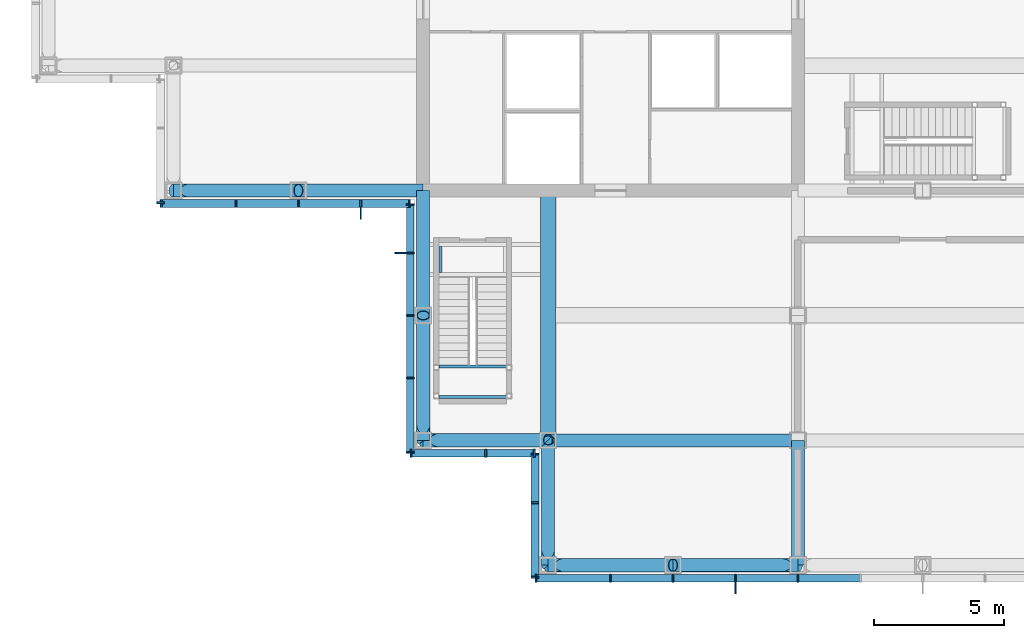
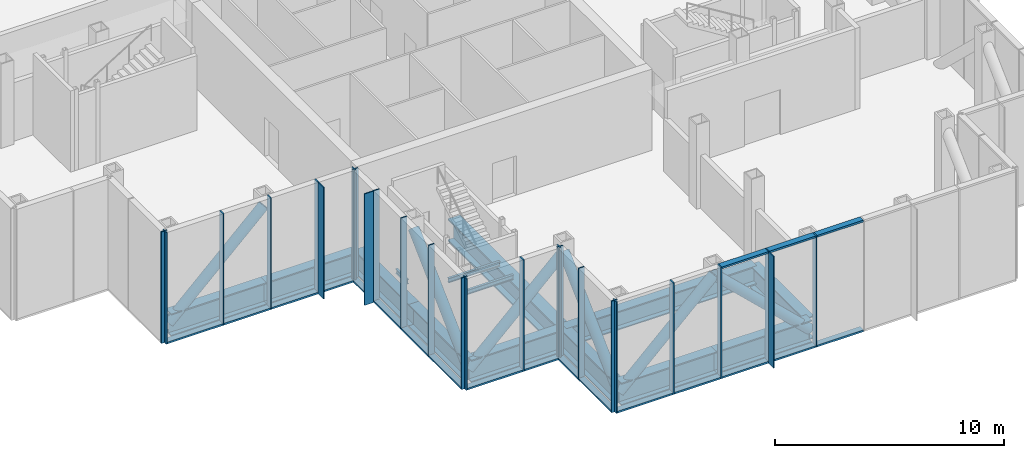
# One storey, part 6 of 17: 51 members, 14 beams, 6 elements without a shape of their own.
"""IFC4 building model written with IfcOpenShell, lengths in metres."""

import ifcopenshell
import ifcopenshell.guid

model = None  # the IFC model being written
_history = None  # IfcOwnerHistory: only IFC2X3 demands one
_inside = {}  # id of a spatial element -> (the spatial element, [elements in it])
_under = {}  # id of a project, library or spatial element -> (it, [spatial elements below it])
_declared = {}  # id of a project -> (the project, [libraries it declares])
_typed = {}  # id of a type object -> (the type object, [elements of that type])
_made_of = {}  # id of a material, layer set ... -> (it, [elements and type objects made of it])


def new_model(schema):
    """Start an empty IFC model of exactly this schema.

    Asked for "IFC4X3", IfcOpenShell would pick the latest addendum, in which some entities
    have other attributes; the version numbers below select the first issue.
    IFC2X3 requires an IfcOwnerHistory on every rooted entity: one is made here for all.
    """
    global model, _history
    if schema == "IFC4X3":
        model = ifcopenshell.file(schema_version=(4, 3, 0, 0))
    else:
        model = ifcopenshell.file(schema=schema)
    _inside.clear()
    _under.clear()
    _declared.clear()
    _typed.clear()
    _made_of.clear()
    _history = None
    if model.schema == "IFC2X3":
        org = make("IfcOrganization", Name="unknown")
        user = make(
            "IfcPersonAndOrganization",
            ThePerson=make("IfcPerson", FamilyName="unknown"),
            TheOrganization=org,
        )
        app = make(
            "IfcApplication",
            ApplicationDeveloper=org,
            Version="unknown",
            ApplicationFullName="unknown",
            ApplicationIdentifier="unknown",
        )
        _history = make(
            "IfcOwnerHistory",
            OwningUser=user,
            OwningApplication=app,
            ChangeAction="ADDED",
            CreationDate=0,
        )
    return model


def make(cls, **values):
    """One entity of the class cls with the attributes given. An attribute that is None is left unset."""
    return model.create_entity(
        cls, **{name: value for name, value in values.items() if value is not None}
    )


def rooted(cls, **values):
    """An entity with a GlobalId (a new one), such as an element, a storey or a relation."""
    return make(cls, GlobalId=ifcopenshell.guid.new(), OwnerHistory=_history, **values)


def si_unit(unit_type, name, prefix=None):
    """IfcSIUnit, for example si_unit("LENGTHUNIT", "METRE", prefix="MILLI")."""
    return make("IfcSIUnit", UnitType=unit_type, Prefix=prefix, Name=name)


def assignment(units):
    """IfcUnitAssignment: the units of a project."""
    return None if units is None else make("IfcUnitAssignment", Units=units)


def point(xyz):
    """IfcCartesianPoint."""
    return None if xyz is None else make("IfcCartesianPoint", Coordinates=xyz)


def direction(xyz):
    """IfcDirection."""
    return None if xyz is None else make("IfcDirection", DirectionRatios=xyz)


def frame(location, z_axis=None, x_axis=None):
    """IfcAxis2Placement3D, a coordinate frame: its origin and axes. An axis left out is left unset."""
    return make(
        "IfcAxis2Placement3D",
        Location=point(location),
        Axis=direction(z_axis),
        RefDirection=direction(x_axis),
    )


def frame_2d(location, x_axis=None):
    """IfcAxis2Placement2D, a coordinate frame in the plane: its origin and x axis."""
    return make(
        "IfcAxis2Placement2D", Location=point(location), RefDirection=direction(x_axis)
    )


def origin():
    """The frame at (0, 0, 0) with its axes left unset."""
    return frame((0.0, 0.0, 0.0))


def origin_2d():
    """The frame at (0, 0) in the plane with its x axis left unset."""
    return frame_2d((0.0, 0.0))


def place(relative_to, where):
    """IfcLocalPlacement: puts the frame where relative to a parent placement (None: the world)."""
    return make(
        "IfcLocalPlacement", PlacementRelTo=relative_to, RelativePlacement=where
    )


def context(
    kind, dimensions, precision=None, world=None, true_north=None, identifier=None
):
    """IfcGeometricRepresentationContext, for example the 3D "Model" context."""
    return make(
        "IfcGeometricRepresentationContext",
        ContextIdentifier=identifier,
        ContextType=kind,
        CoordinateSpaceDimension=dimensions,
        Precision=precision,
        WorldCoordinateSystem=world,
        TrueNorth=true_north,
    )


def subcontext(parent, identifier, kind, view, scale=None):
    """IfcGeometricRepresentationSubContext, for example "Body" below "Model"."""
    return make(
        "IfcGeometricRepresentationSubContext",
        ContextIdentifier=identifier,
        ContextType=kind,
        ParentContext=parent,
        TargetScale=scale,
        TargetView=view,
    )


def project(units=None, contexts=None):
    """IfcProject with its units and contexts."""
    return rooted(
        "IfcProject",
        Name="project",
        RepresentationContexts=contexts,
        UnitsInContext=assignment(units),
    )


def spatial(cls, under=None, at=None, **own):
    """A site, building, storey or space (cls), placed at a placement, below another one or the project."""
    s = rooted(cls, ObjectPlacement=at, **own)
    if under is not None:
        _under.setdefault(under.id(), (under, []))[1].append(s)
    return s


def profile(cls, at=None, kind="AREA", **sizes):
    """A parametric profile (cls). Its sizes go by their IFC names, for example OverallWidth=200.0."""
    return make(cls, ProfileType=kind, Position=at, **sizes)


def rectangle(**sizes):
    """IfcRectangleProfileDef."""
    return profile("IfcRectangleProfileDef", **sizes)


def hollow_circle(**sizes):
    """IfcCircleHollowProfileDef."""
    return profile("IfcCircleHollowProfileDef", **sizes)


def i_section(**sizes):
    """IfcIShapeProfileDef."""
    return profile("IfcIShapeProfileDef", **sizes)


def extrude(swept, where, along, depth):
    """IfcExtrudedAreaSolid: the profile swept, set in the frame where, extruded along a direction by depth."""
    return make(
        "IfcExtrudedAreaSolid",
        SweptArea=swept,
        Position=where,
        ExtrudedDirection=direction(along),
        Depth=depth,
    )


def shape(context_of_items, identifier, shape_type, items):
    """IfcShapeRepresentation: the items that make up one representation, for example the "Body"."""
    return make(
        "IfcShapeRepresentation",
        ContextOfItems=context_of_items,
        RepresentationIdentifier=identifier,
        RepresentationType=shape_type,
        Items=items,
    )


def material(Name=None, Category=None):
    """IfcMaterial."""
    return make("IfcMaterial", Name=Name, Category=Category)


def material_profile(
    of_material, cross_section, Name=None, Category=None, Priority=None
):
    """IfcMaterialProfile: a cross section and its material."""
    return make(
        "IfcMaterialProfile",
        Name=Name,
        Material=of_material,
        Profile=cross_section,
        Priority=Priority,
        Category=Category,
    )


def profile_set(profiles, Name=None, composite=None):
    """IfcMaterialProfileSet."""
    return make(
        "IfcMaterialProfileSet",
        Name=Name,
        MaterialProfiles=profiles,
        CompositeProfile=composite,
    )


def made_of(thing, what):
    """Note that an element or type object is made of a material, layer set ...; save() writes the relation."""
    if what is not None:
        _made_of.setdefault(what.id(), (what, []))[1].append(thing)
    return thing


def type_object(cls, material=None, **own):
    """A type object (cls), such as IfcWallType, which elements share."""
    return made_of(rooted(cls, **own), material)


def element(
    cls,
    number,
    at=None,
    inside=None,
    cuts=None,
    type_object=None,
    material=None,
    context=None,
    identifier="Body",
    shape_type=None,
    held_by="IfcProductDefinitionShape",
    body=None,
    shapes=None,
    **own,
):
    """One element of the class cls, such as IfcWall. Its Tag is "e" and its number.

    at: its placement. inside: the storey or other place that contains it. cuts: it is an
    opening in that element (IfcRelVoidsElement). A single representation is given by context,
    identifier, shape_type and body (its items); several are given by shapes. held_by: the class
    of the entity that holds the representations. save() writes the other relations.
    """
    e = rooted(cls, Tag="e%d" % number, ObjectPlacement=at, **own)
    if body is not None:
        shapes = [shape(context, identifier, shape_type, body)]
    if shapes is not None:
        e.Representation = make(held_by, Representations=shapes)
    if inside is not None:
        _inside.setdefault(inside.id(), (inside, []))[1].append(e)
    if cuts is not None:
        rooted(
            "IfcRelVoidsElement", RelatingBuildingElement=cuts, RelatedOpeningElement=e
        )
    if type_object is not None:
        _typed.setdefault(type_object.id(), (type_object, []))[1].append(e)
    return made_of(e, material)


def aggregate(whole, parts):
    """IfcRelAggregates: a whole, such as a stair, and the parts it consists of."""
    return rooted("IfcRelAggregates", RelatingObject=whole, RelatedObjects=parts)


def save(model, path):
    """Write the relations noted so far, then the file.

    IfcRelAggregates (storeys below a building ...), IfcRelContainedInSpatialStructure (elements
    in a storey), IfcRelDefinesByType, IfcRelAssociatesMaterial and IfcRelDeclares: one each for
    every whole, place, type object, material and project.
    """
    for whole, parts in _under.values():
        aggregate(whole, parts)
    for where, things in _inside.values():
        rooted(
            "IfcRelContainedInSpatialStructure",
            RelatedElements=things,
            RelatingStructure=where,
        )
    for kind, things in _typed.values():
        rooted("IfcRelDefinesByType", RelatedObjects=things, RelatingType=kind)
    for what, things in _made_of.values():
        rooted("IfcRelAssociatesMaterial", RelatedObjects=things, RelatingMaterial=what)
    for by, libraries in _declared.values():
        rooted("IfcRelDeclares", RelatingContext=by, RelatedDefinitions=libraries)
    model.write(path)


model = new_model("IFC4")

# Units and contexts
model_context = context("Model", 3, precision=1e-05, world=origin(), true_north=direction((0.0, 1.0)))
body_context = subcontext(model_context, "Body", "Model", "MODEL_VIEW")
ifc_project = project(units=[si_unit("LENGTHUNIT", "METRE"), si_unit("AREAUNIT", "SQUARE_METRE"), si_unit("VOLUMEUNIT", "CUBIC_METRE"), si_unit("PLANEANGLEUNIT", "RADIAN"), si_unit("MASSUNIT", "GRAM", prefix="KILO")], contexts=[model_context])

# Site, building, storey
site_placement = place(None, origin())
site = spatial("IfcSite", under=ifc_project, at=site_placement, CompositionType="ELEMENT")
building_placement = place(site_placement, origin())
building = spatial("IfcBuilding", under=site, at=building_placement, Name="Kvirike Care Tower", CompositionType="ELEMENT")
storey_placement = place(building_placement, frame((0.0, 0.0, 136.5)))
storey = spatial("IfcBuildingStorey", under=building, at=storey_placement, Name="L37", CompositionType="ELEMENT", Elevation=136.5)

# Members
ifc_material_1 = material(Name="Steel S355", Category="steel")
ifc_material_profile_1 = material_profile(ifc_material_1, hollow_circle(Radius=0.25390625, WallThickness=0.02490234375, at=origin_2d()), Name="CHS 508x25")
ifc_profile_set_1 = profile_set([ifc_material_profile_1], Name="Steel S355")
member_type_1 = type_object("IfcMemberType", Name="BELT TRUSS DIAGONAL CHS 508x25", PredefinedType="BRACE", material=ifc_profile_set_1)
for number, where, z_axis, x_axis, name in (
    (1, (4.800048828125, 28.800048828125, -0.85009765625), (0.723490032929, 0.0, 0.690334826191), (0.0, 1.0, 0.0), "Belt truss diagonal G4-G5 L37"),
    (2, (14.39990234375, 19.199951171875, -0.85009765625), (0.0, 0.723490032929, 0.690334826191), (-1.0, 0.0, 0.0), "Belt truss diagonal F6-E6 L37"),
    (3, (14.39990234375, 19.199951171875, -0.85009765625), (0.723490032929, 0.0, 0.690334826191), (0.0, 1.0, 0.0), "Belt truss diagonal E6-E7 L37"),
    (4, (19.199951171875, 14.39990234375, -0.85009765625), (0.0, 0.723490032929, 0.690334826191), (-1.0, 0.0, 0.0), "Belt truss diagonal E7-D7 L37"),
    (5, (19.199951171875, 14.39990234375, -0.85009765625), (0.723490032929, 0.0, 0.690334826191), (0.0, 1.0, 0.0), "Belt truss diagonal D7-D8 L37"),
    (6, (28.800048828125, 14.39990234375, -0.85009765625), (-0.723490032929, 0.0, 0.690334826191), (0.0, -1.0, 0.0), "Belt truss diagonal D8-D9 L37"),
):
    element("IfcMember", number, at=place(storey_placement, frame(where, z_axis=z_axis, x_axis=x_axis)), inside=storey, type_object=member_type_1, Name=name, PredefinedType="BRACE", context=body_context, shape_type="SweptSolid", body=[
        extrude(hollow_circle(Radius=0.25390625, WallThickness=0.02490234375, at=origin_2d()), origin(), (0.0, 0.0, 1.0), 6.634521484375),
    ])

# Curtain wall, member
ifc_material_2 = material(Name="Anodised aluminium stick system", Category="aluminium")
curtain_wall_type = type_object("IfcCurtainWallType", Name="CW-L LOUVRED PLANT SCREEN", PredefinedType="NOTDEFINED", material=ifc_material_2)
curtain_wall_1_placement = place(storey_placement, origin())
curtain_wall_1 = element("IfcCurtainWall", 7, at=curtain_wall_1_placement, inside=storey, type_object=curtain_wall_type, Name="Curtain wall L37 face 14", PredefinedType="NOTDEFINED")
ifc_material_3 = material(Name="Bronze anodised aluminium fin", Category="aluminium")
ifc_material_profile_2 = material_profile(ifc_material_3, rectangle(XDim=0.050048828125, YDim=0.449951171875, at=origin_2d()), Name="BRONZE FIN 450")
ifc_profile_set_2 = profile_set([ifc_material_profile_2], Name="Bronze anodised aluminium fin")
member_type_2 = type_object("IfcMemberType", Name="BRONZE FIN 450", PredefinedType="USERDEFINED", material=ifc_profile_set_2)
member_1_placement = place(storey_placement, frame((12.0, 27.925048828125, -1.449951171875), z_axis=(0.0, 0.0, 1.0), x_axis=(1.0, 0.0, 0.0)))
member_1 = element("IfcMember", 8, at=member_1_placement, type_object=member_type_2, Name="Bronze fin L37 face 14.4", ObjectType="FIN", PredefinedType="USERDEFINED", context=body_context, shape_type="SweptSolid", body=[
    extrude(rectangle(XDim=0.050048828125, YDim=0.449951171875, at=origin_2d()), origin(), (0.0, 0.0, 1.0), 5.949951171875),
])

curtain_wall_2_placement = place(storey_placement, origin())
curtain_wall_2 = element("IfcCurtainWall", 9, at=curtain_wall_2_placement, inside=storey, type_object=curtain_wall_type, Name="Curtain wall L37 face 15", PredefinedType="NOTDEFINED")
member_2_placement = place(storey_placement, frame((13.52490234375, 26.39990234375, -1.449951171875), z_axis=(0.0, 0.0, 1.0), x_axis=(0.0, -1.0, 0.0)))
member_2 = element("IfcMember", 10, at=member_2_placement, type_object=member_type_2, Name="Bronze fin L37 face 15.2", ObjectType="FIN", PredefinedType="USERDEFINED", context=body_context, shape_type="SweptSolid", body=[
    extrude(rectangle(XDim=0.050048828125, YDim=0.449951171875, at=origin_2d()), origin(), (0.0, 0.0, 1.0), 5.949951171875),
])

curtain_wall_3_placement = place(storey_placement, origin())
curtain_wall_3 = element("IfcCurtainWall", 11, at=curtain_wall_3_placement, inside=storey, type_object=curtain_wall_type, Name="Curtain wall L37 face 18", PredefinedType="NOTDEFINED")
member_3_placement = place(storey_placement, frame((26.39990234375, 13.52490234375, -1.449951171875), z_axis=(0.0, 0.0, 1.0), x_axis=(1.0, 0.0, 0.0)))
member_3 = element("IfcMember", 12, at=member_3_placement, type_object=member_type_2, Name="Bronze fin L37 face 18.4", ObjectType="FIN", PredefinedType="USERDEFINED", context=body_context, shape_type="SweptSolid", body=[
    extrude(rectangle(XDim=0.050048828125, YDim=0.449951171875, at=origin_2d()), origin(), (0.0, 0.0, 1.0), 5.949951171875),
])

curtain_wall_4_placement = place(storey_placement, origin())
curtain_wall_4 = element("IfcCurtainWall", 13, at=curtain_wall_4_placement, inside=storey, type_object=curtain_wall_type, Name="Curtain wall L37 face 13", PredefinedType="NOTDEFINED")
ifc_material_4 = material(Name="Bronze anodised aluminium mullion", Category="aluminium")
ifc_material_profile_3 = material_profile(ifc_material_4, rectangle(XDim=0.06494140625, YDim=0.300048828125, at=origin_2d()), Name="CW-L MULLION 65x300")
ifc_profile_set_3 = profile_set([ifc_material_profile_3], Name="Bronze anodised aluminium mullion")
member_type_3 = type_object("IfcMemberType", Name="CW-L MULLION 65x300", PredefinedType="MULLION", material=ifc_profile_set_3)
member_4_placement = place(storey_placement, frame((4.300048828125, 28.33251953125, -1.449951171875), z_axis=(0.0, 0.0, 1.0), x_axis=(0.0, -1.0, 0.0)))
member_4 = element("IfcMember", 14, at=member_4_placement, type_object=member_type_3, Name="CW-L mullion L37 face 13.3", PredefinedType="MULLION", context=body_context, shape_type="SweptSolid", body=[
    extrude(rectangle(XDim=0.06494140625, YDim=0.300048828125, at=origin_2d()), origin(), (0.0, 0.0, 1.0), 5.949951171875),
])
aggregate(curtain_wall_4, [member_4])

# Member
member_5_placement = place(storey_placement, frame((4.33251953125, 28.300048828125, -1.449951171875), z_axis=(0.0, 0.0, 1.0), x_axis=(1.0, 0.0, 0.0)))
member_5 = element("IfcMember", 15, at=member_5_placement, type_object=member_type_3, Name="CW-L mullion L37 face 14.1", PredefinedType="MULLION", context=body_context, shape_type="SweptSolid", body=[
    extrude(rectangle(XDim=0.06494140625, YDim=0.300048828125, at=origin_2d()), origin(), (0.0, 0.0, 1.0), 5.949951171875),
])

member_6_placement = place(storey_placement, frame((7.199951171875, 28.300048828125, -1.449951171875), z_axis=(0.0, 0.0, 1.0), x_axis=(1.0, 0.0, 0.0)))
member_6 = element("IfcMember", 16, at=member_6_placement, type_object=member_type_3, Name="CW-L mullion L37 face 14.2", PredefinedType="MULLION", context=body_context, shape_type="SweptSolid", body=[
    extrude(rectangle(XDim=0.06494140625, YDim=0.300048828125, at=origin_2d()), origin(), (0.0, 0.0, 1.0), 5.949951171875),
])

member_7_placement = place(storey_placement, frame((9.60009765625, 28.300048828125, -1.449951171875), z_axis=(0.0, 0.0, 1.0), x_axis=(1.0, 0.0, 0.0)))
member_7 = element("IfcMember", 17, at=member_7_placement, type_object=member_type_3, Name="CW-L mullion L37 face 14.3", PredefinedType="MULLION", context=body_context, shape_type="SweptSolid", body=[
    extrude(rectangle(XDim=0.06494140625, YDim=0.300048828125, at=origin_2d()), origin(), (0.0, 0.0, 1.0), 5.949951171875),
])

member_8_placement = place(storey_placement, frame((12.0, 28.300048828125, -1.449951171875), z_axis=(0.0, 0.0, 1.0), x_axis=(1.0, 0.0, 0.0)))
member_8 = element("IfcMember", 18, at=member_8_placement, type_object=member_type_3, Name="CW-L mullion L37 face 14.4", PredefinedType="MULLION", context=body_context, shape_type="SweptSolid", body=[
    extrude(rectangle(XDim=0.06494140625, YDim=0.300048828125, at=origin_2d()), origin(), (0.0, 0.0, 1.0), 5.949951171875),
])

member_9_placement = place(storey_placement, frame((13.867431640625, 28.300048828125, -1.449951171875), z_axis=(0.0, 0.0, 1.0), x_axis=(1.0, 0.0, 0.0)))
member_9 = element("IfcMember", 19, at=member_9_placement, type_object=member_type_3, Name="CW-L mullion L37 face 14.5", PredefinedType="MULLION", context=body_context, shape_type="SweptSolid", body=[
    extrude(rectangle(XDim=0.06494140625, YDim=0.300048828125, at=origin_2d()), origin(), (0.0, 0.0, 1.0), 5.949951171875),
])

member_10_placement = place(storey_placement, frame((13.89990234375, 28.267578125, -1.449951171875), z_axis=(0.0, 0.0, 1.0), x_axis=(0.0, -1.0, 0.0)))
member_10 = element("IfcMember", 20, at=member_10_placement, type_object=member_type_3, Name="CW-L mullion L37 face 15.1", PredefinedType="MULLION", context=body_context, shape_type="SweptSolid", body=[
    extrude(rectangle(XDim=0.06494140625, YDim=0.300048828125, at=origin_2d()), origin(), (0.0, 0.0, 1.0), 5.949951171875),
])

member_11_placement = place(storey_placement, frame((13.89990234375, 26.39990234375, -1.449951171875), z_axis=(0.0, 0.0, 1.0), x_axis=(0.0, -1.0, 0.0)))
member_11 = element("IfcMember", 21, at=member_11_placement, type_object=member_type_3, Name="CW-L mullion L37 face 15.2", PredefinedType="MULLION", context=body_context, shape_type="SweptSolid", body=[
    extrude(rectangle(XDim=0.06494140625, YDim=0.300048828125, at=origin_2d()), origin(), (0.0, 0.0, 1.0), 5.949951171875),
])

member_12_placement = place(storey_placement, frame((13.89990234375, 24.0, -1.449951171875), z_axis=(0.0, 0.0, 1.0), x_axis=(0.0, -1.0, 0.0)))
member_12 = element("IfcMember", 22, at=member_12_placement, type_object=member_type_3, Name="CW-L mullion L37 face 15.3", PredefinedType="MULLION", context=body_context, shape_type="SweptSolid", body=[
    extrude(rectangle(XDim=0.06494140625, YDim=0.300048828125, at=origin_2d()), origin(), (0.0, 0.0, 1.0), 5.949951171875),
])

member_13_placement = place(storey_placement, frame((13.89990234375, 21.60009765625, -1.449951171875), z_axis=(0.0, 0.0, 1.0), x_axis=(0.0, -1.0, 0.0)))
member_13 = element("IfcMember", 23, at=member_13_placement, type_object=member_type_3, Name="CW-L mullion L37 face 15.4", PredefinedType="MULLION", context=body_context, shape_type="SweptSolid", body=[
    extrude(rectangle(XDim=0.06494140625, YDim=0.300048828125, at=origin_2d()), origin(), (0.0, 0.0, 1.0), 5.949951171875),
])

member_14_placement = place(storey_placement, frame((13.89990234375, 18.732421875, -1.449951171875), z_axis=(0.0, 0.0, 1.0), x_axis=(0.0, -1.0, 0.0)))
member_14 = element("IfcMember", 24, at=member_14_placement, type_object=member_type_3, Name="CW-L mullion L37 face 15.5", PredefinedType="MULLION", context=body_context, shape_type="SweptSolid", body=[
    extrude(rectangle(XDim=0.06494140625, YDim=0.300048828125, at=origin_2d()), origin(), (0.0, 0.0, 1.0), 5.949951171875),
])

# Curtain wall, members
curtain_wall_5_placement = place(storey_placement, origin())
curtain_wall_5 = element("IfcCurtainWall", 25, at=curtain_wall_5_placement, inside=storey, type_object=curtain_wall_type, Name="Curtain wall L37 face 16", PredefinedType="NOTDEFINED")
member_15_placement = place(storey_placement, frame((13.9326171875, 18.699951171875, -1.449951171875), z_axis=(0.0, 0.0, 1.0), x_axis=(1.0, 0.0, 0.0)))
member_15 = element("IfcMember", 26, at=member_15_placement, type_object=member_type_3, Name="CW-L mullion L37 face 16.1", PredefinedType="MULLION", context=body_context, shape_type="SweptSolid", body=[
    extrude(rectangle(XDim=0.06494140625, YDim=0.300048828125, at=origin_2d()), origin(), (0.0, 0.0, 1.0), 5.949951171875),
])
member_16_placement = place(storey_placement, frame((16.800048828125, 18.699951171875, -1.449951171875), z_axis=(0.0, 0.0, 1.0), x_axis=(1.0, 0.0, 0.0)))
member_16 = element("IfcMember", 27, at=member_16_placement, type_object=member_type_3, Name="CW-L mullion L37 face 16.2", PredefinedType="MULLION", context=body_context, shape_type="SweptSolid", body=[
    extrude(rectangle(XDim=0.06494140625, YDim=0.300048828125, at=origin_2d()), origin(), (0.0, 0.0, 1.0), 5.949951171875),
])
member_17_placement = place(storey_placement, frame((18.66748046875, 18.699951171875, -1.449951171875), z_axis=(0.0, 0.0, 1.0), x_axis=(1.0, 0.0, 0.0)))
member_17 = element("IfcMember", 28, at=member_17_placement, type_object=member_type_3, Name="CW-L mullion L37 face 16.3", PredefinedType="MULLION", context=body_context, shape_type="SweptSolid", body=[
    extrude(rectangle(XDim=0.06494140625, YDim=0.300048828125, at=origin_2d()), origin(), (0.0, 0.0, 1.0), 5.949951171875),
])

curtain_wall_6_placement = place(storey_placement, origin())
curtain_wall_6 = element("IfcCurtainWall", 29, at=curtain_wall_6_placement, inside=storey, type_object=curtain_wall_type, Name="Curtain wall L37 face 17", PredefinedType="NOTDEFINED")
member_18_placement = place(storey_placement, frame((18.699951171875, 18.66748046875, -1.449951171875), z_axis=(0.0, 0.0, 1.0), x_axis=(0.0, -1.0, 0.0)))
member_18 = element("IfcMember", 30, at=member_18_placement, type_object=member_type_3, Name="CW-L mullion L37 face 17.1", PredefinedType="MULLION", context=body_context, shape_type="SweptSolid", body=[
    extrude(rectangle(XDim=0.06494140625, YDim=0.300048828125, at=origin_2d()), origin(), (0.0, 0.0, 1.0), 5.949951171875),
])
member_19_placement = place(storey_placement, frame((18.699951171875, 16.800048828125, -1.449951171875), z_axis=(0.0, 0.0, 1.0), x_axis=(0.0, -1.0, 0.0)))
member_19 = element("IfcMember", 31, at=member_19_placement, type_object=member_type_3, Name="CW-L mullion L37 face 17.2", PredefinedType="MULLION", context=body_context, shape_type="SweptSolid", body=[
    extrude(rectangle(XDim=0.06494140625, YDim=0.300048828125, at=origin_2d()), origin(), (0.0, 0.0, 1.0), 5.949951171875),
])
member_20_placement = place(storey_placement, frame((18.699951171875, 13.9326171875, -1.449951171875), z_axis=(0.0, 0.0, 1.0), x_axis=(0.0, -1.0, 0.0)))
member_20 = element("IfcMember", 32, at=member_20_placement, type_object=member_type_3, Name="CW-L mullion L37 face 17.3", PredefinedType="MULLION", context=body_context, shape_type="SweptSolid", body=[
    extrude(rectangle(XDim=0.06494140625, YDim=0.300048828125, at=origin_2d()), origin(), (0.0, 0.0, 1.0), 5.949951171875),
])

# Member
member_21_placement = place(storey_placement, frame((18.732421875, 13.89990234375, -1.449951171875), z_axis=(0.0, 0.0, 1.0), x_axis=(1.0, 0.0, 0.0)))
member_21 = element("IfcMember", 33, at=member_21_placement, type_object=member_type_3, Name="CW-L mullion L37 face 18.1", PredefinedType="MULLION", context=body_context, shape_type="SweptSolid", body=[
    extrude(rectangle(XDim=0.06494140625, YDim=0.300048828125, at=origin_2d()), origin(), (0.0, 0.0, 1.0), 5.949951171875),
])

member_22_placement = place(storey_placement, frame((21.60009765625, 13.89990234375, -1.449951171875), z_axis=(0.0, 0.0, 1.0), x_axis=(1.0, 0.0, 0.0)))
member_22 = element("IfcMember", 34, at=member_22_placement, type_object=member_type_3, Name="CW-L mullion L37 face 18.2", PredefinedType="MULLION", context=body_context, shape_type="SweptSolid", body=[
    extrude(rectangle(XDim=0.06494140625, YDim=0.300048828125, at=origin_2d()), origin(), (0.0, 0.0, 1.0), 5.949951171875),
])

member_23_placement = place(storey_placement, frame((24.0, 13.89990234375, -1.449951171875), z_axis=(0.0, 0.0, 1.0), x_axis=(1.0, 0.0, 0.0)))
member_23 = element("IfcMember", 35, at=member_23_placement, type_object=member_type_3, Name="CW-L mullion L37 face 18.3", PredefinedType="MULLION", context=body_context, shape_type="SweptSolid", body=[
    extrude(rectangle(XDim=0.06494140625, YDim=0.300048828125, at=origin_2d()), origin(), (0.0, 0.0, 1.0), 5.949951171875),
])

member_24_placement = place(storey_placement, frame((26.39990234375, 13.89990234375, -1.449951171875), z_axis=(0.0, 0.0, 1.0), x_axis=(1.0, 0.0, 0.0)))
member_24 = element("IfcMember", 36, at=member_24_placement, type_object=member_type_3, Name="CW-L mullion L37 face 18.4", PredefinedType="MULLION", context=body_context, shape_type="SweptSolid", body=[
    extrude(rectangle(XDim=0.06494140625, YDim=0.300048828125, at=origin_2d()), origin(), (0.0, 0.0, 1.0), 5.949951171875),
])

member_25_placement = place(storey_placement, frame((28.800048828125, 13.89990234375, -1.449951171875), z_axis=(0.0, 0.0, 1.0), x_axis=(1.0, 0.0, 0.0)))
member_25 = element("IfcMember", 37, at=member_25_placement, type_object=member_type_3, Name="CW-L mullion L37 face 18.5", PredefinedType="MULLION", context=body_context, shape_type="SweptSolid", body=[
    extrude(rectangle(XDim=0.06494140625, YDim=0.300048828125, at=origin_2d()), origin(), (0.0, 0.0, 1.0), 5.949951171875),
])

ifc_material_5 = material(Name="Bronze anodised aluminium transom", Category="aluminium")
ifc_material_profile_4 = material_profile(ifc_material_5, rectangle(XDim=0.300048828125, YDim=0.10009765625, at=origin_2d()), Name="CW-L TRANSOM 300x100")
ifc_profile_set_4 = profile_set([ifc_material_profile_4], Name="Bronze anodised aluminium transom")
member_type_4 = type_object("IfcMemberType", Name="CW-L TRANSOM 300x100", PredefinedType="USERDEFINED", material=ifc_profile_set_4)
member_26_placement = place(storey_placement, frame((4.364990234375, 28.300048828125, -1.39990234375), z_axis=(1.0, 0.0, 0.0), x_axis=(0.0, 1.0, 0.0)))
member_26 = element("IfcMember", 38, at=member_26_placement, type_object=member_type_4, Name="CW-L sill transom L37 face 14.1", ObjectType="TRANSOM", PredefinedType="USERDEFINED", context=body_context, shape_type="SweptSolid", body=[
    extrude(rectangle(XDim=0.300048828125, YDim=0.10009765625, at=origin_2d()), origin(), (0.0, 0.0, 1.0), 2.802490234375),
])

member_27_placement = place(storey_placement, frame((7.232421875, 28.300048828125, -1.39990234375), z_axis=(1.0, 0.0, 0.0), x_axis=(0.0, 1.0, 0.0)))
member_27 = element("IfcMember", 39, at=member_27_placement, type_object=member_type_4, Name="CW-L sill transom L37 face 14.2", ObjectType="TRANSOM", PredefinedType="USERDEFINED", context=body_context, shape_type="SweptSolid", body=[
    extrude(rectangle(XDim=0.300048828125, YDim=0.10009765625, at=origin_2d()), origin(), (0.0, 0.0, 1.0), 2.3349609375),
])

member_28_placement = place(storey_placement, frame((9.632568359375, 28.300048828125, -1.39990234375), z_axis=(1.0, 0.0, 0.0), x_axis=(0.0, 1.0, 0.0)))
member_28 = element("IfcMember", 40, at=member_28_placement, type_object=member_type_4, Name="CW-L sill transom L37 face 14.3", ObjectType="TRANSOM", PredefinedType="USERDEFINED", context=body_context, shape_type="SweptSolid", body=[
    extrude(rectangle(XDim=0.300048828125, YDim=0.10009765625, at=origin_2d()), origin(), (0.0, 0.0, 1.0), 2.3349609375),
])

member_29_placement = place(storey_placement, frame((12.032470703125, 28.300048828125, -1.39990234375), z_axis=(1.0, 0.0, 0.0), x_axis=(0.0, 1.0, 0.0)))
member_29 = element("IfcMember", 41, at=member_29_placement, type_object=member_type_4, Name="CW-L sill transom L37 face 14.4", ObjectType="TRANSOM", PredefinedType="USERDEFINED", context=body_context, shape_type="SweptSolid", body=[
    extrude(rectangle(XDim=0.300048828125, YDim=0.10009765625, at=origin_2d()), origin(), (0.0, 0.0, 1.0), 1.802490234375),
])

aggregate(curtain_wall_1, [member_5, member_6, member_7, member_8, member_1, member_9, member_26, member_27, member_28, member_29])

member_30_placement = place(storey_placement, frame((13.89990234375, 28.235107421875, -1.39990234375), z_axis=(0.0, -1.0, 0.0), x_axis=(1.0, 0.0, 0.0)))
member_30 = element("IfcMember", 42, at=member_30_placement, type_object=member_type_4, Name="CW-L sill transom L37 face 15.1", ObjectType="TRANSOM", PredefinedType="USERDEFINED", context=body_context, shape_type="SweptSolid", body=[
    extrude(rectangle(XDim=0.300048828125, YDim=0.10009765625, at=origin_2d()), origin(), (0.0, 0.0, 1.0), 1.802490234375),
])

member_31_placement = place(storey_placement, frame((13.89990234375, 26.367431640625, -1.39990234375), z_axis=(0.0, -1.0, 0.0), x_axis=(1.0, 0.0, 0.0)))
member_31 = element("IfcMember", 43, at=member_31_placement, type_object=member_type_4, Name="CW-L sill transom L37 face 15.2", ObjectType="TRANSOM", PredefinedType="USERDEFINED", context=body_context, shape_type="SweptSolid", body=[
    extrude(rectangle(XDim=0.300048828125, YDim=0.10009765625, at=origin_2d()), origin(), (0.0, 0.0, 1.0), 2.3349609375),
])

member_32_placement = place(storey_placement, frame((13.89990234375, 23.967529296875, -1.39990234375), z_axis=(0.0, -1.0, 0.0), x_axis=(1.0, 0.0, 0.0)))
member_32 = element("IfcMember", 44, at=member_32_placement, type_object=member_type_4, Name="CW-L sill transom L37 face 15.3", ObjectType="TRANSOM", PredefinedType="USERDEFINED", context=body_context, shape_type="SweptSolid", body=[
    extrude(rectangle(XDim=0.300048828125, YDim=0.10009765625, at=origin_2d()), origin(), (0.0, 0.0, 1.0), 2.3349609375),
])

member_33_placement = place(storey_placement, frame((13.89990234375, 21.5673828125, -1.39990234375), z_axis=(0.0, -1.0, 0.0), x_axis=(1.0, 0.0, 0.0)))
member_33 = element("IfcMember", 45, at=member_33_placement, type_object=member_type_4, Name="CW-L sill transom L37 face 15.4", ObjectType="TRANSOM", PredefinedType="USERDEFINED", context=body_context, shape_type="SweptSolid", body=[
    extrude(rectangle(XDim=0.300048828125, YDim=0.10009765625, at=origin_2d()), origin(), (0.0, 0.0, 1.0), 2.802490234375),
])

aggregate(curtain_wall_2, [member_10, member_11, member_2, member_12, member_13, member_14, member_30, member_31, member_32, member_33])

member_34_placement = place(storey_placement, frame((13.965087890625, 18.699951171875, -1.39990234375), z_axis=(1.0, 0.0, 0.0), x_axis=(0.0, 1.0, 0.0)))
member_34 = element("IfcMember", 46, at=member_34_placement, type_object=member_type_4, Name="CW-L sill transom L37 face 16.1", ObjectType="TRANSOM", PredefinedType="USERDEFINED", context=body_context, shape_type="SweptSolid", body=[
    extrude(rectangle(XDim=0.300048828125, YDim=0.10009765625, at=origin_2d()), origin(), (0.0, 0.0, 1.0), 2.802490234375),
])

member_35_placement = place(storey_placement, frame((16.83251953125, 18.699951171875, -1.39990234375), z_axis=(1.0, 0.0, 0.0), x_axis=(0.0, 1.0, 0.0)))
member_35 = element("IfcMember", 47, at=member_35_placement, type_object=member_type_4, Name="CW-L sill transom L37 face 16.2", ObjectType="TRANSOM", PredefinedType="USERDEFINED", context=body_context, shape_type="SweptSolid", body=[
    extrude(rectangle(XDim=0.300048828125, YDim=0.10009765625, at=origin_2d()), origin(), (0.0, 0.0, 1.0), 1.802490234375),
])

aggregate(curtain_wall_5, [member_15, member_16, member_17, member_34, member_35])

member_36_placement = place(storey_placement, frame((18.699951171875, 18.635009765625, -1.39990234375), z_axis=(0.0, -1.0, 0.0), x_axis=(1.0, 0.0, 0.0)))
member_36 = element("IfcMember", 48, at=member_36_placement, type_object=member_type_4, Name="CW-L sill transom L37 face 17.1", ObjectType="TRANSOM", PredefinedType="USERDEFINED", context=body_context, shape_type="SweptSolid", body=[
    extrude(rectangle(XDim=0.300048828125, YDim=0.10009765625, at=origin_2d()), origin(), (0.0, 0.0, 1.0), 1.802490234375),
])

member_37_placement = place(storey_placement, frame((18.699951171875, 16.767578125, -1.39990234375), z_axis=(0.0, -1.0, 0.0), x_axis=(1.0, 0.0, 0.0)))
member_37 = element("IfcMember", 49, at=member_37_placement, type_object=member_type_4, Name="CW-L sill transom L37 face 17.2", ObjectType="TRANSOM", PredefinedType="USERDEFINED", context=body_context, shape_type="SweptSolid", body=[
    extrude(rectangle(XDim=0.300048828125, YDim=0.10009765625, at=origin_2d()), origin(), (0.0, 0.0, 1.0), 2.802490234375),
])

aggregate(curtain_wall_6, [member_18, member_19, member_20, member_36, member_37])

member_38_placement = place(storey_placement, frame((18.764892578125, 13.89990234375, -1.39990234375), z_axis=(1.0, 0.0, 0.0), x_axis=(0.0, 1.0, 0.0)))
member_38 = element("IfcMember", 50, at=member_38_placement, type_object=member_type_4, Name="CW-L sill transom L37 face 18.1", ObjectType="TRANSOM", PredefinedType="USERDEFINED", context=body_context, shape_type="SweptSolid", body=[
    extrude(rectangle(XDim=0.300048828125, YDim=0.10009765625, at=origin_2d()), origin(), (0.0, 0.0, 1.0), 2.802490234375),
])

member_39_placement = place(storey_placement, frame((21.632568359375, 13.89990234375, -1.39990234375), z_axis=(1.0, 0.0, 0.0), x_axis=(0.0, 1.0, 0.0)))
member_39 = element("IfcMember", 51, at=member_39_placement, type_object=member_type_4, Name="CW-L sill transom L37 face 18.2", ObjectType="TRANSOM", PredefinedType="USERDEFINED", context=body_context, shape_type="SweptSolid", body=[
    extrude(rectangle(XDim=0.300048828125, YDim=0.10009765625, at=origin_2d()), origin(), (0.0, 0.0, 1.0), 2.3349609375),
])

member_40_placement = place(storey_placement, frame((24.032470703125, 13.89990234375, -1.39990234375), z_axis=(1.0, 0.0, 0.0), x_axis=(0.0, 1.0, 0.0)))
member_40 = element("IfcMember", 52, at=member_40_placement, type_object=member_type_4, Name="CW-L sill transom L37 face 18.3", ObjectType="TRANSOM", PredefinedType="USERDEFINED", context=body_context, shape_type="SweptSolid", body=[
    extrude(rectangle(XDim=0.300048828125, YDim=0.10009765625, at=origin_2d()), origin(), (0.0, 0.0, 1.0), 2.3349609375),
])

member_41_placement = place(storey_placement, frame((24.032470703125, 13.89990234375, 4.449951171875), z_axis=(1.0, 0.0, 0.0), x_axis=(0.0, 1.0, 0.0)))
member_41 = element("IfcMember", 53, at=member_41_placement, type_object=member_type_4, Name="CW-L head transom L37 face 18.3", ObjectType="TRANSOM", PredefinedType="USERDEFINED", context=body_context, shape_type="SweptSolid", body=[
    extrude(rectangle(XDim=0.300048828125, YDim=0.10009765625, at=origin_2d()), origin(), (0.0, 0.0, 1.0), 2.3349609375),
])

member_42_placement = place(storey_placement, frame((26.4326171875, 13.89990234375, -1.39990234375), z_axis=(1.0, 0.0, 0.0), x_axis=(0.0, 1.0, 0.0)))
member_42 = element("IfcMember", 54, at=member_42_placement, type_object=member_type_4, Name="CW-L sill transom L37 face 18.4", ObjectType="TRANSOM", PredefinedType="USERDEFINED", context=body_context, shape_type="SweptSolid", body=[
    extrude(rectangle(XDim=0.300048828125, YDim=0.10009765625, at=origin_2d()), origin(), (0.0, 0.0, 1.0), 2.3349609375),
])

member_43_placement = place(storey_placement, frame((26.4326171875, 13.89990234375, 4.449951171875), z_axis=(1.0, 0.0, 0.0), x_axis=(0.0, 1.0, 0.0)))
member_43 = element("IfcMember", 55, at=member_43_placement, type_object=member_type_4, Name="CW-L head transom L37 face 18.4", ObjectType="TRANSOM", PredefinedType="USERDEFINED", context=body_context, shape_type="SweptSolid", body=[
    extrude(rectangle(XDim=0.300048828125, YDim=0.10009765625, at=origin_2d()), origin(), (0.0, 0.0, 1.0), 2.3349609375),
])

member_44_placement = place(storey_placement, frame((28.83251953125, 13.89990234375, -1.39990234375), z_axis=(1.0, 0.0, 0.0), x_axis=(0.0, 1.0, 0.0)))
member_44 = element("IfcMember", 56, at=member_44_placement, type_object=member_type_4, Name="CW-L sill transom L37 face 18.5", ObjectType="TRANSOM", PredefinedType="USERDEFINED", context=body_context, shape_type="SweptSolid", body=[
    extrude(rectangle(XDim=0.300048828125, YDim=0.10009765625, at=origin_2d()), origin(), (0.0, 0.0, 1.0), 2.3349609375),
])

member_45_placement = place(storey_placement, frame((28.83251953125, 13.89990234375, 4.449951171875), z_axis=(1.0, 0.0, 0.0), x_axis=(0.0, 1.0, 0.0)))
member_45 = element("IfcMember", 57, at=member_45_placement, type_object=member_type_4, Name="CW-L head transom L37 face 18.5", ObjectType="TRANSOM", PredefinedType="USERDEFINED", context=body_context, shape_type="SweptSolid", body=[
    extrude(rectangle(XDim=0.300048828125, YDim=0.10009765625, at=origin_2d()), origin(), (0.0, 0.0, 1.0), 2.3349609375),
])

aggregate(curtain_wall_3, [member_21, member_22, member_23, member_24, member_3, member_25, member_38, member_39, member_40, member_41, member_42, member_43, member_44, member_45])

# Beams
ifc_material_6 = material(Name="Steel S355", Category="steel")
ifc_material_profile_5 = material_profile(ifc_material_6, i_section(OverallWidth=0.5, OverallDepth=1.199951171875, WebThickness=0.030029296875, FlangeThickness=0.06005859375, at=origin_2d()), Name="PG 1200x500x30x60")
ifc_profile_set_5 = profile_set([ifc_material_profile_5], Name="Steel S355")
beam_type_1 = type_object("IfcBeamType", Name="FRAME BEAM PG 1200x500x30x60", PredefinedType="BEAM", material=ifc_profile_set_5)
beam_1_placement = place(storey_placement, frame((28.800048828125, 14.39990234375, -0.85009765625), z_axis=(0.0, 1.0, 0.0), x_axis=(-1.0, 0.0, 0.0)))
element("IfcBeam", 58, at=beam_1_placement, inside=storey, type_object=beam_type_1, Name="Frame Beam D9-E9 L37", PredefinedType="BEAM", context=body_context, shape_type="SweptSolid", body=[
    extrude(i_section(OverallWidth=0.5, OverallDepth=1.199951171875, WebThickness=0.030029296875, FlangeThickness=0.06005859375, at=origin_2d()), origin(), (0.0, 0.0, 1.0), 4.800048828125),
])
ifc_material_7 = material(Name="Steel S355", Category="steel")
ifc_material_profile_6 = material_profile(ifc_material_7, i_section(OverallWidth=0.5, OverallDepth=1.0, WebThickness=0.030029296875, FlangeThickness=0.06005859375, at=origin_2d()), Name="PG 1000x500x30x60")
ifc_profile_set_6 = profile_set([ifc_material_profile_6], Name="Steel S355")
beam_type_2 = type_object("IfcBeamType", Name="PLANT FLOOR GIRDER PG 1000x500x30x60", PredefinedType="BEAM", material=ifc_profile_set_6)
beam_2_placement = place(storey_placement, frame((19.199951171875, 19.199951171875, -0.75), z_axis=(1.0, 0.0, 0.0), x_axis=(0.0, 1.0, 0.0)))
element("IfcBeam", 59, at=beam_2_placement, inside=storey, type_object=beam_type_2, Name="Plant Floor Girder E7-E9 L37", PredefinedType="BEAM", context=body_context, shape_type="SweptSolid", body=[
    extrude(i_section(OverallWidth=0.5, OverallDepth=1.0, WebThickness=0.030029296875, FlangeThickness=0.06005859375, at=origin_2d()), origin(), (0.0, 0.0, 1.0), 9.60009765625),
])
ifc_material_8 = material(Name="Steel S355", Category="steel")
ifc_material_profile_7 = material_profile(ifc_material_8, i_section(OverallWidth=0.60009765625, OverallDepth=1.199951171875, WebThickness=0.0400390625, FlangeThickness=0.080078125, at=origin_2d()), Name="PG 1200x600x40x80")
ifc_profile_set_7 = profile_set([ifc_material_profile_7], Name="Steel S355")
beam_type_3 = type_object("IfcBeamType", Name="PLANT FLOOR GIRDER PG 1200x600x40x80", PredefinedType="BEAM", material=ifc_profile_set_7)
beam_3_placement = place(storey_placement, frame((19.199951171875, 19.199951171875, -0.85009765625), z_axis=(0.0, 1.0, 0.0), x_axis=(-1.0, 0.0, 0.0)))
element("IfcBeam", 60, at=beam_3_placement, inside=storey, type_object=beam_type_3, Name="Plant Floor Girder E7-G7 L37", PredefinedType="BEAM", context=body_context, shape_type="SweptSolid", body=[
    extrude(i_section(OverallWidth=0.60009765625, OverallDepth=1.199951171875, WebThickness=0.0400390625, FlangeThickness=0.080078125, at=origin_2d()), origin(), (0.0, 0.0, 1.0), 9.60009765625),
])
ifc_material_9 = material(Name="Steel S355", Category="steel")
ifc_material_profile_8 = material_profile(ifc_material_9, i_section(OverallWidth=0.5, OverallDepth=1.199951171875, WebThickness=0.030029296875, FlangeThickness=0.06005859375, at=origin_2d()), Name="PG 1200x500x30x60")
ifc_profile_set_8 = profile_set([ifc_material_profile_8], Name="Steel S355")
beam_type_4 = type_object("IfcBeamType", Name="SPANDREL PG 1200x500x30x60", PredefinedType="SPANDREL", material=ifc_profile_set_8)
for number, where, z_axis, x_axis, name in (
    (61, (19.199951171875, 14.39990234375, -0.85009765625), (1.0, 0.0, 0.0), (0.0, 1.0, 0.0), "Spandrel D7-D8 L37"),
    (62, (24.0, 14.39990234375, -0.85009765625), (1.0, 0.0, 0.0), (0.0, 1.0, 0.0), "Spandrel D8-D9 L37"),
    (63, (14.39990234375, 19.199951171875, -0.85009765625), (1.0, 0.0, 0.0), (0.0, 1.0, 0.0), "Spandrel E6-E7 L37"),
    (64, (4.800048828125, 28.800048828125, -0.85009765625), (1.0, 0.0, 0.0), (0.0, 1.0, 0.0), "Spandrel G4-G5 L37"),
):
    element("IfcBeam", number, at=place(storey_placement, frame(where, z_axis=z_axis, x_axis=x_axis)), inside=storey, type_object=beam_type_4, Name=name, PredefinedType="SPANDREL", context=body_context, shape_type="SweptSolid", body=[
        extrude(i_section(OverallWidth=0.5, OverallDepth=1.199951171875, WebThickness=0.030029296875, FlangeThickness=0.06005859375, at=origin_2d()), origin(), (0.0, 0.0, 1.0), 4.800048828125),
    ])
beam_4_placement = place(storey_placement, frame((9.60009765625, 28.800048828125, -0.85009765625), z_axis=(1.0, 0.0, 0.0), x_axis=(0.0, 1.0, 0.0)))
element("IfcBeam", 65, at=beam_4_placement, inside=storey, type_object=beam_type_4, Name="Spandrel G5-G6 L37", PredefinedType="SPANDREL", context=body_context, shape_type="SweptSolid", body=[
    extrude(i_section(OverallWidth=0.5, OverallDepth=1.199951171875, WebThickness=0.030029296875, FlangeThickness=0.06005859375, at=origin_2d()), origin(), (0.0, 0.0, 1.0), 4.7998046875),
])
for number, where, z_axis, x_axis, name in (
    (66, (14.39990234375, 19.199951171875, -0.85009765625), (0.0, 1.0, 0.0), (-1.0, 0.0, 0.0), "Spandrel E6-F6 L37"),
    (67, (14.39990234375, 24.0, -0.85009765625), (0.0, 1.0, 0.0), (-1.0, 0.0, 0.0), "Spandrel F6-G6 L37"),
    (68, (19.199951171875, 14.39990234375, -0.85009765625), (0.0, 1.0, 0.0), (-1.0, 0.0, 0.0), "Spandrel D7-E7 L37"),
):
    element("IfcBeam", number, at=place(storey_placement, frame(where, z_axis=z_axis, x_axis=x_axis)), inside=storey, type_object=beam_type_4, Name=name, PredefinedType="SPANDREL", context=body_context, shape_type="SweptSolid", body=[
        extrude(i_section(OverallWidth=0.5, OverallDepth=1.199951171875, WebThickness=0.030029296875, FlangeThickness=0.06005859375, at=origin_2d()), origin(), (0.0, 0.0, 1.0), 4.800048828125),
    ])
ifc_material_10 = material(Name="Steel S355", Category="steel")
ifc_material_profile_9 = material_profile(ifc_material_10, i_section(OverallWidth=0.1201171875, OverallDepth=0.239990234375, WebThickness=0.006103515625, FlangeThickness=0.009765625, FilletRadius=0.014892578125, at=origin_2d()), Name="IPE 240")
ifc_profile_set_9 = profile_set([ifc_material_profile_9], Name="Steel S355")
beam_type_5 = type_object("IfcBeamType", Name="STAIR LANDING BEAM IPE 240", PredefinedType="BEAM", material=ifc_profile_set_9)
for number, where, z_axis, x_axis, name in (
    (69, (15.0, 20.860107421875, 1.929931640625), (1.0, 0.0, 0.0), (0.0, 1.0, 0.0), "Stair 5 landing beam back L37"),
    (70, (15.0, 22.0400390625, 1.929931640625), (1.0, 0.0, 0.0), (0.0, 1.0, 0.0), "Stair 5 landing beam front L37"),
):
    element("IfcBeam", number, at=place(storey_placement, frame(where, z_axis=z_axis, x_axis=x_axis)), inside=storey, type_object=beam_type_5, Name=name, PredefinedType="BEAM", context=body_context, shape_type="SweptSolid", body=[
        extrude(i_section(OverallWidth=0.1201171875, OverallDepth=0.239990234375, WebThickness=0.006103515625, FlangeThickness=0.009765625, FilletRadius=0.014892578125, at=origin_2d()), origin(), (0.0, 0.0, 1.0), 2.60009765625),
    ])
beam_5_placement = place(storey_placement, frame((15.06005859375, 25.64990234375, -0.3701171875), z_axis=(0.0, 1.0, 0.0), x_axis=(-1.0, 0.0, 0.0)))
element("IfcBeam", 71, at=beam_5_placement, inside=storey, type_object=beam_type_5, Name="Stair 5 landing edge beam 1 L37", PredefinedType="BEAM", context=body_context, shape_type="SweptSolid", body=[
    extrude(i_section(OverallWidth=0.1201171875, OverallDepth=0.239990234375, WebThickness=0.006103515625, FlangeThickness=0.009765625, FilletRadius=0.014892578125, at=origin_2d()), origin(), (0.0, 0.0, 1.0), 1.0),
])

save(model, "model.ifc")
